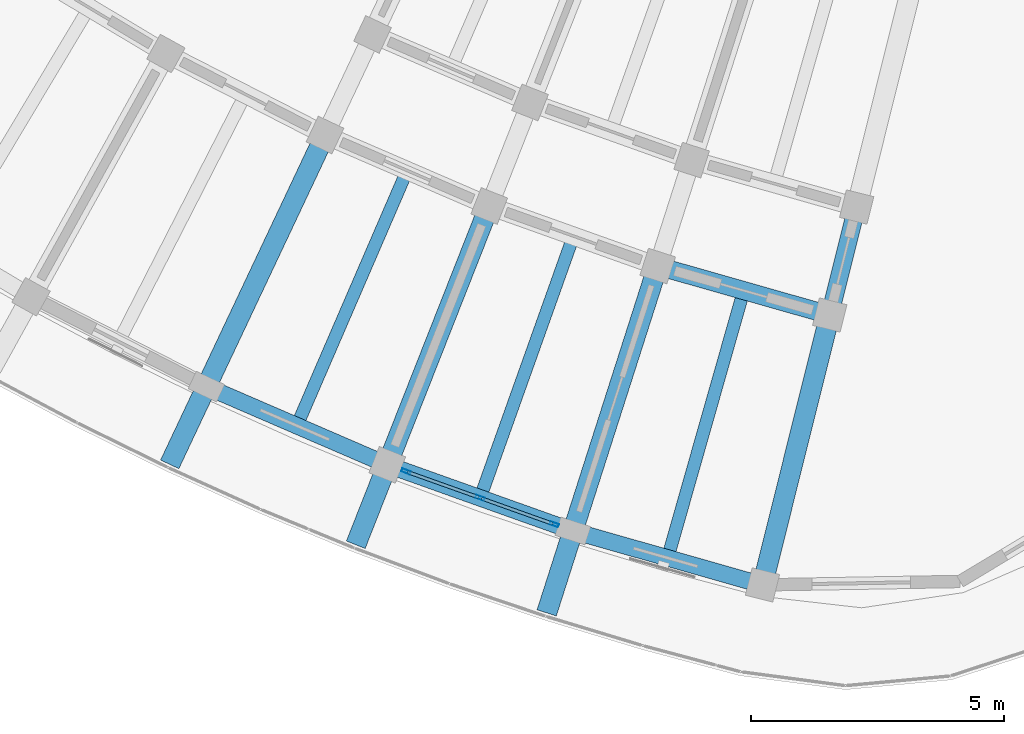
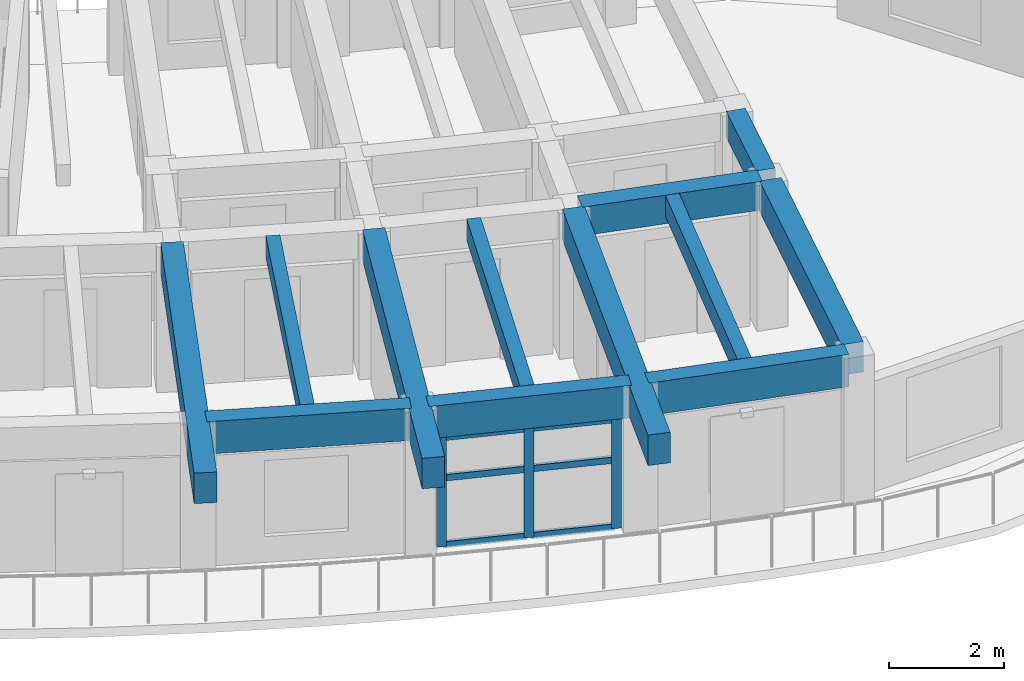
# One storey, part 5 of 81: 12 beams, 9 members, 1 element without a shape of its own.
"""IFC4 building model written with IfcOpenShell, lengths in metres."""

import ifcopenshell
import ifcopenshell.guid

model = None  # the IFC model being written
_history = None  # IfcOwnerHistory: only IFC2X3 demands one
_inside = {}  # id of a spatial element -> (the spatial element, [elements in it])
_under = {}  # id of a project, library or spatial element -> (it, [spatial elements below it])
_declared = {}  # id of a project -> (the project, [libraries it declares])
_typed = {}  # id of a type object -> (the type object, [elements of that type])
_made_of = {}  # id of a material, layer set ... -> (it, [elements and type objects made of it])


def new_model(schema):
    """Start an empty IFC model of exactly this schema.

    Asked for "IFC4X3", IfcOpenShell would pick the latest addendum, in which some entities
    have other attributes; the version numbers below select the first issue.
    IFC2X3 requires an IfcOwnerHistory on every rooted entity: one is made here for all.
    """
    global model, _history
    if schema == "IFC4X3":
        model = ifcopenshell.file(schema_version=(4, 3, 0, 0))
    else:
        model = ifcopenshell.file(schema=schema)
    _inside.clear()
    _under.clear()
    _declared.clear()
    _typed.clear()
    _made_of.clear()
    _history = None
    if model.schema == "IFC2X3":
        org = make("IfcOrganization", Name="unknown")
        user = make(
            "IfcPersonAndOrganization",
            ThePerson=make("IfcPerson", FamilyName="unknown"),
            TheOrganization=org,
        )
        app = make(
            "IfcApplication",
            ApplicationDeveloper=org,
            Version="unknown",
            ApplicationFullName="unknown",
            ApplicationIdentifier="unknown",
        )
        _history = make(
            "IfcOwnerHistory",
            OwningUser=user,
            OwningApplication=app,
            ChangeAction="ADDED",
            CreationDate=0,
        )
    return model


def make(cls, **values):
    """One entity of the class cls with the attributes given. An attribute that is None is left unset."""
    return model.create_entity(
        cls, **{name: value for name, value in values.items() if value is not None}
    )


def rooted(cls, **values):
    """An entity with a GlobalId (a new one), such as an element, a storey or a relation."""
    return make(cls, GlobalId=ifcopenshell.guid.new(), OwnerHistory=_history, **values)


def si_unit(unit_type, name, prefix=None):
    """IfcSIUnit, for example si_unit("LENGTHUNIT", "METRE", prefix="MILLI")."""
    return make("IfcSIUnit", UnitType=unit_type, Prefix=prefix, Name=name)


def assignment(units):
    """IfcUnitAssignment: the units of a project."""
    return None if units is None else make("IfcUnitAssignment", Units=units)


def point(xyz):
    """IfcCartesianPoint."""
    return None if xyz is None else make("IfcCartesianPoint", Coordinates=xyz)


def direction(xyz):
    """IfcDirection."""
    return None if xyz is None else make("IfcDirection", DirectionRatios=xyz)


def frame(location, z_axis=None, x_axis=None):
    """IfcAxis2Placement3D, a coordinate frame: its origin and axes. An axis left out is left unset."""
    return make(
        "IfcAxis2Placement3D",
        Location=point(location),
        Axis=direction(z_axis),
        RefDirection=direction(x_axis),
    )


def frame_2d(location, x_axis=None):
    """IfcAxis2Placement2D, a coordinate frame in the plane: its origin and x axis."""
    return make(
        "IfcAxis2Placement2D", Location=point(location), RefDirection=direction(x_axis)
    )


def origin():
    """The frame at (0, 0, 0) with its axes left unset."""
    return frame((0.0, 0.0, 0.0))


def origin_2d():
    """The frame at (0, 0) in the plane with its x axis left unset."""
    return frame_2d((0.0, 0.0))


def place(relative_to, where):
    """IfcLocalPlacement: puts the frame where relative to a parent placement (None: the world)."""
    return make(
        "IfcLocalPlacement", PlacementRelTo=relative_to, RelativePlacement=where
    )


def context(
    kind, dimensions, precision=None, world=None, true_north=None, identifier=None
):
    """IfcGeometricRepresentationContext, for example the 3D "Model" context."""
    return make(
        "IfcGeometricRepresentationContext",
        ContextIdentifier=identifier,
        ContextType=kind,
        CoordinateSpaceDimension=dimensions,
        Precision=precision,
        WorldCoordinateSystem=world,
        TrueNorth=true_north,
    )


def subcontext(parent, identifier, kind, view, scale=None):
    """IfcGeometricRepresentationSubContext, for example "Body" below "Model"."""
    return make(
        "IfcGeometricRepresentationSubContext",
        ContextIdentifier=identifier,
        ContextType=kind,
        ParentContext=parent,
        TargetScale=scale,
        TargetView=view,
    )


def project(units=None, contexts=None):
    """IfcProject with its units and contexts."""
    return rooted(
        "IfcProject",
        Name="project",
        RepresentationContexts=contexts,
        UnitsInContext=assignment(units),
    )


def spatial(cls, under=None, at=None, **own):
    """A site, building, storey or space (cls), placed at a placement, below another one or the project."""
    s = rooted(cls, ObjectPlacement=at, **own)
    if under is not None:
        _under.setdefault(under.id(), (under, []))[1].append(s)
    return s


def profile(cls, at=None, kind="AREA", **sizes):
    """A parametric profile (cls). Its sizes go by their IFC names, for example OverallWidth=200.0."""
    return make(cls, ProfileType=kind, Position=at, **sizes)


def rectangle(**sizes):
    """IfcRectangleProfileDef."""
    return profile("IfcRectangleProfileDef", **sizes)


def hollow_rectangle(**sizes):
    """IfcRectangleHollowProfileDef."""
    return profile("IfcRectangleHollowProfileDef", **sizes)


def extrude(swept, where, along, depth):
    """IfcExtrudedAreaSolid: the profile swept, set in the frame where, extruded along a direction by depth."""
    return make(
        "IfcExtrudedAreaSolid",
        SweptArea=swept,
        Position=where,
        ExtrudedDirection=direction(along),
        Depth=depth,
    )


def shape(context_of_items, identifier, shape_type, items):
    """IfcShapeRepresentation: the items that make up one representation, for example the "Body"."""
    return make(
        "IfcShapeRepresentation",
        ContextOfItems=context_of_items,
        RepresentationIdentifier=identifier,
        RepresentationType=shape_type,
        Items=items,
    )


def material(Name=None, Category=None):
    """IfcMaterial."""
    return make("IfcMaterial", Name=Name, Category=Category)


def material_profile(
    of_material, cross_section, Name=None, Category=None, Priority=None
):
    """IfcMaterialProfile: a cross section and its material."""
    return make(
        "IfcMaterialProfile",
        Name=Name,
        Material=of_material,
        Profile=cross_section,
        Priority=Priority,
        Category=Category,
    )


def profile_set(profiles, Name=None, composite=None):
    """IfcMaterialProfileSet."""
    return make(
        "IfcMaterialProfileSet",
        Name=Name,
        MaterialProfiles=profiles,
        CompositeProfile=composite,
    )


def made_of(thing, what):
    """Note that an element or type object is made of a material, layer set ...; save() writes the relation."""
    if what is not None:
        _made_of.setdefault(what.id(), (what, []))[1].append(thing)
    return thing


def type_object(cls, material=None, **own):
    """A type object (cls), such as IfcWallType, which elements share."""
    return made_of(rooted(cls, **own), material)


def element(
    cls,
    number,
    at=None,
    inside=None,
    cuts=None,
    type_object=None,
    material=None,
    context=None,
    identifier="Body",
    shape_type=None,
    held_by="IfcProductDefinitionShape",
    body=None,
    shapes=None,
    **own,
):
    """One element of the class cls, such as IfcWall. Its Tag is "e" and its number.

    at: its placement. inside: the storey or other place that contains it. cuts: it is an
    opening in that element (IfcRelVoidsElement). A single representation is given by context,
    identifier, shape_type and body (its items); several are given by shapes. held_by: the class
    of the entity that holds the representations. save() writes the other relations.
    """
    e = rooted(cls, Tag="e%d" % number, ObjectPlacement=at, **own)
    if body is not None:
        shapes = [shape(context, identifier, shape_type, body)]
    if shapes is not None:
        e.Representation = make(held_by, Representations=shapes)
    if inside is not None:
        _inside.setdefault(inside.id(), (inside, []))[1].append(e)
    if cuts is not None:
        rooted(
            "IfcRelVoidsElement", RelatingBuildingElement=cuts, RelatedOpeningElement=e
        )
    if type_object is not None:
        _typed.setdefault(type_object.id(), (type_object, []))[1].append(e)
    return made_of(e, material)


def aggregate(whole, parts):
    """IfcRelAggregates: a whole, such as a stair, and the parts it consists of."""
    return rooted("IfcRelAggregates", RelatingObject=whole, RelatedObjects=parts)


def save(model, path):
    """Write the relations noted so far, then the file.

    IfcRelAggregates (storeys below a building ...), IfcRelContainedInSpatialStructure (elements
    in a storey), IfcRelDefinesByType, IfcRelAssociatesMaterial and IfcRelDeclares: one each for
    every whole, place, type object, material and project.
    """
    for whole, parts in _under.values():
        aggregate(whole, parts)
    for where, things in _inside.values():
        rooted(
            "IfcRelContainedInSpatialStructure",
            RelatedElements=things,
            RelatingStructure=where,
        )
    for kind, things in _typed.values():
        rooted("IfcRelDefinesByType", RelatedObjects=things, RelatingType=kind)
    for what, things in _made_of.values():
        rooted("IfcRelAssociatesMaterial", RelatedObjects=things, RelatingMaterial=what)
    for by, libraries in _declared.values():
        rooted("IfcRelDeclares", RelatingContext=by, RelatedDefinitions=libraries)
    model.write(path)


model = new_model("IFC4")

# Units and contexts
model_context = context("Model", 3, precision=1e-05, world=origin(), true_north=direction((0.0, 1.0)))
body_context = subcontext(model_context, "Body", "Model", "MODEL_VIEW")
ifc_project = project(units=[si_unit("LENGTHUNIT", "METRE"), si_unit("AREAUNIT", "SQUARE_METRE"), si_unit("VOLUMEUNIT", "CUBIC_METRE"), si_unit("PLANEANGLEUNIT", "RADIAN"), si_unit("MASSUNIT", "GRAM", prefix="KILO")], contexts=[model_context])

# Site, building, storey
site_placement = place(None, origin())
site = spatial("IfcSite", under=ifc_project, at=site_placement, CompositionType="ELEMENT")
building_placement = place(site_placement, origin())
building = spatial("IfcBuilding", under=site, at=building_placement, Name="Tanwirah Colonnade Gardens", CompositionType="ELEMENT")
storey_placement = place(building_placement, frame((0.0, 0.0, 18.919921875)))
storey = spatial("IfcBuildingStorey", under=building, at=storey_placement, Name="L05", CompositionType="ELEMENT", Elevation=18.919921875)

# Beams
ifc_material_1 = material(Name="Precast concrete C40/50", Category="concrete")
ifc_material_profile_1 = material_profile(ifc_material_1, rectangle(XDim=0.360107421875, YDim=0.610107421875, at=origin_2d()), Name="PC-BM 360x610")
ifc_profile_set_1 = profile_set([ifc_material_profile_1], Name="Precast concrete C40/50")
beam_type_1 = type_object("IfcBeamType", Name="BM-PC300", PredefinedType="BEAM", material=ifc_profile_set_1)
beam_1_placement = place(storey_placement, frame((48.666259765625, 12.98193359375, 2.80517578125), z_axis=(0.96185623635, -0.273555443366, 0.0), x_axis=(0.273555443366, 0.96185623635, 0.0)))
element("IfcBeam", 1, at=beam_1_placement, inside=storey, type_object=beam_type_1, Name="Block C L05 Circumferential Beam 15-R2", PredefinedType="BEAM", context=body_context, shape_type="SweptSolid", body=[
    extrude(rectangle(XDim=0.360107421875, YDim=0.610107421875, at=origin_2d()), origin(), (0.0, 0.0, 1.0), 3.237060546875),
])
ifc_material_profile_2 = material_profile(ifc_material_1, rectangle(XDim=0.35009765625, YDim=0.550048828125, at=origin_2d()), Name="PC-BM 350x550")
ifc_profile_set_2 = profile_set([ifc_material_profile_2], Name="Precast concrete C40/50")
beam_type_2 = type_object("IfcBeamType", Name="BM-PC350A", PredefinedType="BEAM", material=ifc_profile_set_2)
beam_2_placement = place(storey_placement, frame((52.420166015625, 14.044677734375, 2.8349609375), z_axis=(-0.241961122321, -0.970285945114, 0.0), x_axis=(0.970285945114, -0.241961122321, 0.0)))
element("IfcBeam", 2, at=beam_2_placement, inside=storey, type_object=beam_type_2, Name="Block C L05 Corridor Tie Beam 16", PredefinedType="BEAM", context=body_context, shape_type="SweptSolid", body=[
    extrude(rectangle(XDim=0.35009765625, YDim=0.550048828125, at=origin_2d()), origin(), (0.0, 0.0, 1.0), 1.89990234375),
])
ifc_material_2 = material(Name="Precast concrete C45/55", Category="concrete")
ifc_material_profile_3 = material_profile(ifc_material_2, rectangle(XDim=0.39990234375, YDim=0.64990234375, at=origin_2d()), Name="PC-BM 400x650")
ifc_profile_set_3 = profile_set([ifc_material_profile_3], Name="Precast concrete C45/55")
beam_type_3 = type_object("IfcBeamType", Name="BM-PC400", PredefinedType="BEAM", material=ifc_profile_set_3)
for number, where, z_axis, x_axis, name in (
    (3, (41.8798828125, 15.478515625, 2.78515625), (-0.426567365945, -0.904455793453, 0.0), (0.904455793453, -0.426567365945, 0.0), "Block C L05 Outer Radial Precast Girder 13"),
    (4, (45.1357421875, 14.0712890625, 2.78515625), (-0.366525426804, -0.930408034953, 0.0), (0.930408034953, -0.366525426804, 0.0), "Block C L05 Outer Radial Precast Girder 14"),
    (5, (48.476318359375, 12.880126953125, 2.78515625), (-0.304849862001, -0.952400420851, 0.0), (0.952400420851, -0.304849862001, 0.0), "Block C L05 Outer Radial Precast Girder 15"),
):
    element("IfcBeam", number, at=place(storey_placement, frame(where, z_axis=z_axis, x_axis=x_axis)), inside=storey, type_object=beam_type_3, Name=name, PredefinedType="BEAM", context=body_context, shape_type="SweptSolid", body=[
        extrude(rectangle(XDim=0.39990234375, YDim=0.64990234375, at=origin_2d()), origin(), (0.0, 0.0, 1.0), 7.050048828125),
    ])
beam_3_placement = place(storey_placement, frame((51.887939453125, 11.909912109375, 2.78515625), z_axis=(-0.241939024015, -0.970291455522, 0.0), x_axis=(0.970291455522, -0.241939024015, 0.0)))
element("IfcBeam", 6, at=beam_3_placement, inside=storey, type_object=beam_type_3, Name="Block C L05 Outer Radial Precast Girder 16", PredefinedType="BEAM", context=body_context, shape_type="SweptSolid", body=[
    extrude(rectangle(XDim=0.39990234375, YDim=0.64990234375, at=origin_2d()), origin(), (0.0, 0.0, 1.0), 5.199951171875),
])

# Curtain wall, members
ifc_material_3 = material(Name="Bronze-anodised aluminium and solar-control low-E glass", Category="aluminium")
curtain_wall_type = type_object("IfcCurtainWallType", Name="CW-LOB", PredefinedType="NOTDEFINED", material=ifc_material_3)
curtain_wall_placement = place(storey_placement, origin())
curtain_wall = element("IfcCurtainWall", 7, at=curtain_wall_placement, inside=storey, type_object=curtain_wall_type, Name="Curtain Wall CW-C-L05-OUT-14", PredefinedType="NOTDEFINED")
ifc_material_4 = material(Name="Bronze-anodised aluminium", Category="aluminium")
ifc_material_profile_4 = material_profile(ifc_material_4, hollow_rectangle(XDim=0.06494140625, YDim=0.179931640625, WallThickness=0.00390625, at=origin_2d()), Name="CW-MUL 65x180x4")
ifc_profile_set_4 = profile_set([ifc_material_profile_4], Name="Bronze-anodised aluminium")
member_type_1 = type_object("IfcMemberType", Name="CWM-65x180", PredefinedType="MULLION", material=ifc_profile_set_4)
member_1_placement = place(storey_placement, frame((43.54443359375, 8.9619140625, 0.0), z_axis=(0.0, 0.0, 1.0), x_axis=(0.335862164333, 0.941911145793, 0.0)))
member_1 = element("IfcMember", 8, at=member_1_placement, type_object=member_type_1, Name="CW-LOB mullion 1", PredefinedType="MULLION", context=body_context, shape_type="SweptSolid", body=[
    extrude(hollow_rectangle(XDim=0.06494140625, YDim=0.179931640625, WallThickness=0.00390625, at=origin_2d()), origin(), (0.0, 0.0, 1.0), 2.35498046875),
])
member_2_placement = place(storey_placement, frame((45.010009765625, 8.439208984375, 0.0), z_axis=(0.0, 0.0, 1.0), x_axis=(0.335862164333, 0.941911145793, 0.0)))
member_2 = element("IfcMember", 9, at=member_2_placement, type_object=member_type_1, Name="CW-LOB mullion 2", PredefinedType="MULLION", context=body_context, shape_type="SweptSolid", body=[
    extrude(hollow_rectangle(XDim=0.06494140625, YDim=0.179931640625, WallThickness=0.00390625, at=origin_2d()), origin(), (0.0, 0.0, 1.0), 2.35498046875),
])
member_3_placement = place(storey_placement, frame((46.4755859375, 7.916748046875, 0.0), z_axis=(0.0, 0.0, 1.0), x_axis=(0.335862164333, 0.941911145793, 0.0)))
member_3 = element("IfcMember", 10, at=member_3_placement, type_object=member_type_1, Name="CW-LOB mullion 3", PredefinedType="MULLION", context=body_context, shape_type="SweptSolid", body=[
    extrude(hollow_rectangle(XDim=0.06494140625, YDim=0.179931640625, WallThickness=0.00390625, at=origin_2d()), origin(), (0.0, 0.0, 1.0), 2.35498046875),
])
ifc_material_profile_5 = material_profile(ifc_material_4, hollow_rectangle(XDim=0.06494140625, YDim=0.135009765625, WallThickness=0.00390625, at=origin_2d()), Name="CW-TRN 65x135x4")
ifc_profile_set_5 = profile_set([ifc_material_profile_5], Name="Bronze-anodised aluminium")
member_type_2 = type_object("IfcMemberType", Name="CWT-65x135", PredefinedType="USERDEFINED", material=ifc_profile_set_5)
member_4_placement = place(storey_placement, frame((43.5751953125, 8.950927734375, 0.032470703125), z_axis=(0.941912213271, -0.335859170622, 0.0), x_axis=(0.335859170622, 0.941912213271, 0.0)))
member_4 = element("IfcMember", 11, at=member_4_placement, type_object=member_type_2, Name="CW-LOB transom 1.1", ObjectType="TRANSOM", PredefinedType="USERDEFINED", context=body_context, shape_type="SweptSolid", body=[
    extrude(hollow_rectangle(XDim=0.06494140625, YDim=0.135009765625, WallThickness=0.00390625, at=origin_2d()), origin(), (0.0, 0.0, 1.0), 1.490966796875),
])
member_5_placement = place(storey_placement, frame((43.5751953125, 8.950927734375, 1.460205078125), z_axis=(0.941912213271, -0.335859170622, 0.0), x_axis=(0.335859170622, 0.941912213271, 0.0)))
member_5 = element("IfcMember", 12, at=member_5_placement, type_object=member_type_2, Name="CW-LOB transom 1.2", ObjectType="TRANSOM", PredefinedType="USERDEFINED", context=body_context, shape_type="SweptSolid", body=[
    extrude(hollow_rectangle(XDim=0.06494140625, YDim=0.135009765625, WallThickness=0.00390625, at=origin_2d()), origin(), (0.0, 0.0, 1.0), 1.490966796875),
])
member_6_placement = place(storey_placement, frame((43.5751953125, 8.950927734375, 2.322509765625), z_axis=(0.941912213271, -0.335859170622, 0.0), x_axis=(0.335859170622, 0.941912213271, 0.0)))
member_6 = element("IfcMember", 13, at=member_6_placement, type_object=member_type_2, Name="CW-LOB transom 1.3", ObjectType="TRANSOM", PredefinedType="USERDEFINED", context=body_context, shape_type="SweptSolid", body=[
    extrude(hollow_rectangle(XDim=0.06494140625, YDim=0.135009765625, WallThickness=0.00390625, at=origin_2d()), origin(), (0.0, 0.0, 1.0), 1.490966796875),
])
member_7_placement = place(storey_placement, frame((45.040771484375, 8.42822265625, 0.032470703125), z_axis=(0.941912213271, -0.335859170622, 0.0), x_axis=(0.335859170622, 0.941912213271, 0.0)))
member_7 = element("IfcMember", 14, at=member_7_placement, type_object=member_type_2, Name="CW-LOB transom 2.1", ObjectType="TRANSOM", PredefinedType="USERDEFINED", context=body_context, shape_type="SweptSolid", body=[
    extrude(hollow_rectangle(XDim=0.06494140625, YDim=0.135009765625, WallThickness=0.00390625, at=origin_2d()), origin(), (0.0, 0.0, 1.0), 1.490966796875),
])
member_8_placement = place(storey_placement, frame((45.040771484375, 8.42822265625, 1.460205078125), z_axis=(0.941912213271, -0.335859170622, 0.0), x_axis=(0.335859170622, 0.941912213271, 0.0)))
member_8 = element("IfcMember", 15, at=member_8_placement, type_object=member_type_2, Name="CW-LOB transom 2.2", ObjectType="TRANSOM", PredefinedType="USERDEFINED", context=body_context, shape_type="SweptSolid", body=[
    extrude(hollow_rectangle(XDim=0.06494140625, YDim=0.135009765625, WallThickness=0.00390625, at=origin_2d()), origin(), (0.0, 0.0, 1.0), 1.490966796875),
])
member_9_placement = place(storey_placement, frame((45.040771484375, 8.42822265625, 2.322509765625), z_axis=(0.941912213271, -0.335859170622, 0.0), x_axis=(0.335859170622, 0.941912213271, 0.0)))
member_9 = element("IfcMember", 16, at=member_9_placement, type_object=member_type_2, Name="CW-LOB transom 2.3", ObjectType="TRANSOM", PredefinedType="USERDEFINED", context=body_context, shape_type="SweptSolid", body=[
    extrude(hollow_rectangle(XDim=0.06494140625, YDim=0.135009765625, WallThickness=0.00390625, at=origin_2d()), origin(), (0.0, 0.0, 1.0), 1.490966796875),
])
aggregate(curtain_wall, [member_1, member_2, member_3, member_4, member_5, member_6, member_7, member_8, member_9])

# Beams
ifc_material_profile_6 = material_profile(ifc_material_1, rectangle(XDim=0.25, YDim=0.449951171875, at=origin_2d()), Name="PC-JST 250x450")
ifc_profile_set_6 = profile_set([ifc_material_profile_6], Name="Precast concrete C40/50")
beam_type_4 = type_object("IfcBeamType", Name="JST-PC250", PredefinedType="JOIST", material=ifc_profile_set_6)
for number, where, z_axis, x_axis, name in (
    (17, (43.50830078125, 14.77587890625, 2.885009765625), (-0.396746282, -0.917928312952, 0.0), (0.917928312952, -0.396746282, 0.0), "Block C L05 Precast Floor Joist 13"),
    (18, (46.806396484375, 13.4765625, 2.885009765625), (-0.335862957845, -0.941910862846, 0.0), (0.941910862846, -0.335862957845, 0.0), "Block C L05 Precast Floor Joist 14"),
    (19, (50.182373046875, 12.39599609375, 2.885009765625), (-0.27352550206, -0.961864751263, 0.0), (0.961864751263, -0.27352550206, 0.0), "Block C L05 Precast Floor Joist 15"),
):
    element("IfcBeam", number, at=place(storey_placement, frame(where, z_axis=z_axis, x_axis=x_axis)), inside=storey, type_object=beam_type_4, Name=name, PredefinedType="JOIST", context=body_context, shape_type="SweptSolid", body=[
        extrude(rectangle(XDim=0.25, YDim=0.449951171875, at=origin_2d()), origin(), (0.0, 0.0, 1.0), 5.260009765625),
    ])
ifc_material_profile_7 = material_profile(ifc_material_1, rectangle(XDim=0.330078125, YDim=0.68994140625, at=origin_2d()), Name="PC-SP 330x690")
ifc_profile_set_7 = profile_set([ifc_material_profile_7], Name="Precast concrete C40/50")
beam_type_5 = type_object("IfcBeamType", Name="SP-PC280", PredefinedType="SPANDREL", material=ifc_profile_set_7)
beam_4_placement = place(storey_placement, frame((39.735595703125, 10.580078125, 2.76513671875), z_axis=(0.917925861765, -0.396751953118, 0.0), x_axis=(0.396751953118, 0.917925861765, 0.0)))
element("IfcBeam", 20, at=beam_4_placement, inside=storey, type_object=beam_type_5, Name="Block C L05 Circumferential Beam 13-R3", PredefinedType="SPANDREL", context=body_context, shape_type="SweptSolid", body=[
    extrude(rectangle(XDim=0.330078125, YDim=0.68994140625, at=origin_2d()), origin(), (0.0, 0.0, 1.0), 3.5966796875),
])
for number, where, z_axis, x_axis, name in (
    (21, (43.316162109375, 9.043212890625, 2.76513671875), (0.941915315404, -0.335850470607, 0.0), (0.335850470607, 0.941915315404, 0.0), "Block C L05 Circumferential Beam 14-R3"),
    (22, (46.989501953125, 7.743896484375, 2.76513671875), (0.96186131547, -0.273537583893, 0.0), (0.273537583893, 0.96186131547, 0.0), "Block C L05 Circumferential Beam 15-R3"),
):
    element("IfcBeam", number, at=place(storey_placement, frame(where, z_axis=z_axis, x_axis=x_axis)), inside=storey, type_object=beam_type_5, Name=name, PredefinedType="SPANDREL", context=body_context, shape_type="SweptSolid", body=[
        extrude(rectangle(XDim=0.330078125, YDim=0.68994140625, at=origin_2d()), origin(), (0.0, 0.0, 1.0), 3.596923828125),
    ])

save(model, "model.ifc")
